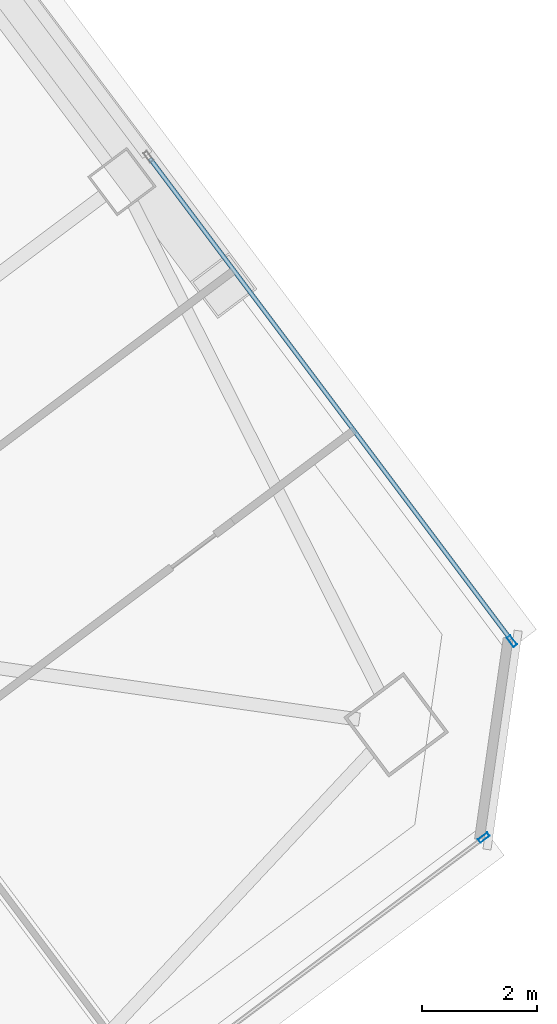
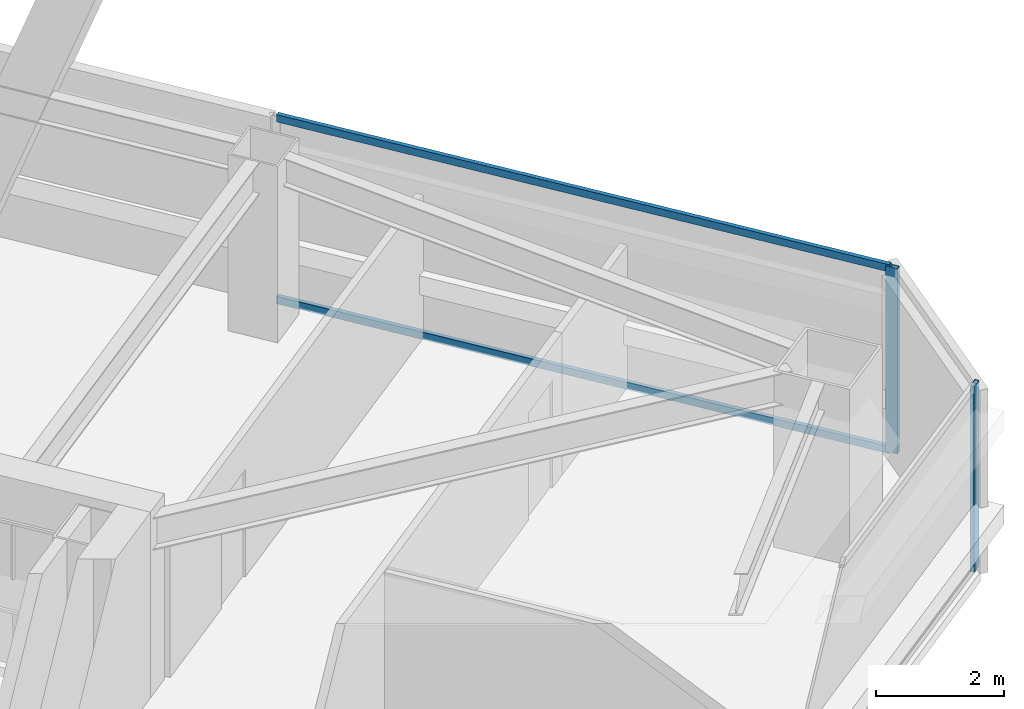
# One storey, part 32 of 50: 4 members, 2 elements without a shape of their own.
"""IFC4 building model written with IfcOpenShell, lengths in metres."""

from ifc_helpers import new_model, si_unit, direction, frame, origin, origin_2d, place, context, subcontext, project, spatial, hollow_rectangle, extrude, material, material_profile, profile_set, type_object, element, aggregate, save


model = new_model("IFC4")

# Units and contexts
model_context = context("Model", 3, precision=1e-05, world=origin(), true_north=direction((0.0, 1.0)))
body_context = subcontext(model_context, "Body", "Model", "MODEL_VIEW")
ifc_project = project(units=[si_unit("LENGTHUNIT", "METRE"), si_unit("AREAUNIT", "SQUARE_METRE"), si_unit("VOLUMEUNIT", "CUBIC_METRE"), si_unit("PLANEANGLEUNIT", "RADIAN"), si_unit("MASSUNIT", "GRAM", prefix="KILO")], contexts=[model_context])

# Site, building, storey
site_placement = place(None, origin())
site = spatial("IfcSite", under=ifc_project, at=site_placement, CompositionType="ELEMENT")
building_placement = place(site_placement, origin())
building = spatial("IfcBuilding", under=site, at=building_placement, Name="Tashvorn Skyway Center", CompositionType="ELEMENT")
storey_placement = place(building_placement, frame((0.0, 0.0, 114.39990234375)))
storey = spatial("IfcBuildingStorey", under=building, at=storey_placement, Name="L30", CompositionType="ELEMENT", Elevation=114.39990234375)

# Curtain wall, member
ifc_material = material(Name="Thermally broken bronze-anodized aluminium 6063-T6", Category="aluminium")
curtain_wall_type = type_object("IfcCurtainWallType", Name="CW-CW-Z3", PredefinedType="NOTDEFINED", material=ifc_material)
curtain_wall_1_placement = place(storey_placement, origin())
curtain_wall_1 = element("IfcCurtainWall", 1, at=curtain_wall_1_placement, inside=storey, type_object=curtain_wall_type, Name="Tower 2 L30 South Unitised Curtain Wall Glazing Group 1", PredefinedType="NOTDEFINED")
ifc_material_profile_1 = material_profile(ifc_material, hollow_rectangle(XDim=0.074951171875, YDim=0.199951171875, WallThickness=0.00439453125, at=origin_2d()), Name="ALU-MULL-75x200")
ifc_profile_set_1 = profile_set([ifc_material_profile_1], Name="Thermally broken bronze-anodized aluminium 6063-T6")
member_type_1 = type_object("IfcMemberType", Name="CWM-CW-Z3", PredefinedType="MULLION", material=ifc_profile_set_1)
member_1_placement = place(storey_placement, frame((137.64208984375, 26.881591796875, 0.0), z_axis=(0.0, 0.0, 1.0), x_axis=(0.600001511345, -0.799998866489, 0.0)))
member_1 = element("IfcMember", 2, at=member_1_placement, type_object=member_type_1, Name="CW-Z3 mullion 1", PredefinedType="MULLION", context=body_context, shape_type="SweptSolid", body=[
    extrude(hollow_rectangle(XDim=0.074951171875, YDim=0.199951171875, WallThickness=0.00439453125, at=origin_2d()), origin(), (0.0, 0.0, 1.0), 3.550048828125),
])
aggregate(curtain_wall_1, [member_1])

# Curtain wall, members
curtain_wall_2_placement = place(storey_placement, origin())
curtain_wall_2 = element("IfcCurtainWall", 3, at=curtain_wall_2_placement, inside=storey, type_object=curtain_wall_type, Name="Tower 2 L30 East Unitised Curtain Wall Glazing Group 2", PredefinedType="NOTDEFINED")
member_2_placement = place(storey_placement, frame((138.12939453125, 30.2939453125, 0.0), z_axis=(0.0, 0.0, 1.0), x_axis=(0.799998866489, 0.600001511345, 0.0)))
member_2 = element("IfcMember", 4, at=member_2_placement, type_object=member_type_1, Name="CW-Z3 mullion 2", PredefinedType="MULLION", context=body_context, shape_type="SweptSolid", body=[
    extrude(hollow_rectangle(XDim=0.074951171875, YDim=0.199951171875, WallThickness=0.00439453125, at=origin_2d()), origin(), (0.0, 0.0, 1.0), 3.550048828125),
])
ifc_material_profile_2 = material_profile(ifc_material, hollow_rectangle(XDim=0.074951171875, YDim=0.139892578125, WallThickness=0.004150390625, at=origin_2d()), Name="ALU-TRAN-75x140")
ifc_profile_set_2 = profile_set([ifc_material_profile_2], Name="Thermally broken bronze-anodized aluminium 6063-T6")
member_type_2 = type_object("IfcMemberType", Name="CWT-CW-Z3", PredefinedType="USERDEFINED", material=ifc_profile_set_2)
member_3_placement = place(storey_placement, frame((131.844970703125, 38.67333984375, 0.03759765625), z_axis=(0.599996257181, -0.800002807101, 0.0), x_axis=(0.800002807101, 0.599996257181, 0.0)))
member_3 = element("IfcMember", 5, at=member_3_placement, type_object=member_type_2, Name="CW-Z3 transom 1.1", ObjectType="TRANSOM", PredefinedType="USERDEFINED", context=body_context, shape_type="SweptSolid", body=[
    extrude(hollow_rectangle(XDim=0.074951171875, YDim=0.139892578125, WallThickness=0.004150390625, at=origin_2d()), origin(), (0.0, 0.0, 1.0), 10.436767578125),
])
member_4_placement = place(storey_placement, frame((131.844970703125, 38.67333984375, 3.5126953125), z_axis=(0.599996257181, -0.800002807101, 0.0), x_axis=(0.800002807101, 0.599996257181, 0.0)))
member_4 = element("IfcMember", 6, at=member_4_placement, type_object=member_type_2, Name="CW-Z3 transom 1.2", ObjectType="TRANSOM", PredefinedType="USERDEFINED", context=body_context, shape_type="SweptSolid", body=[
    extrude(hollow_rectangle(XDim=0.074951171875, YDim=0.139892578125, WallThickness=0.004150390625, at=origin_2d()), origin(), (0.0, 0.0, 1.0), 10.436767578125),
])
aggregate(curtain_wall_2, [member_2, member_3, member_4])

save(model, "model.ifc")
